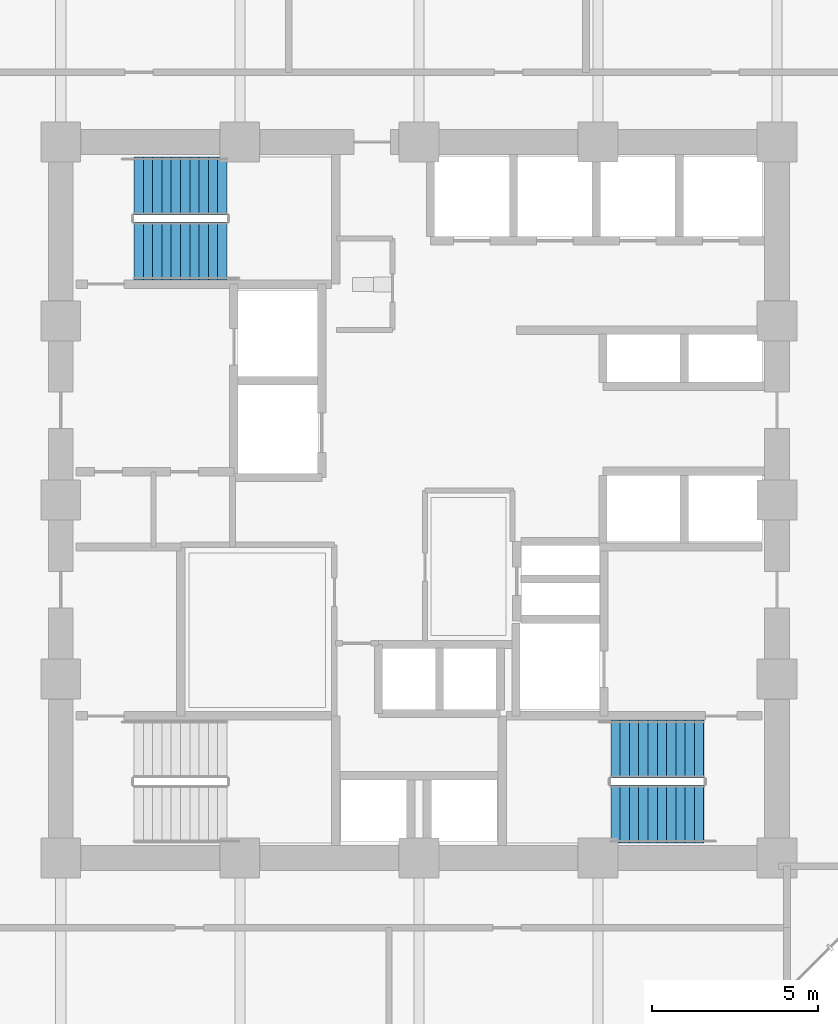
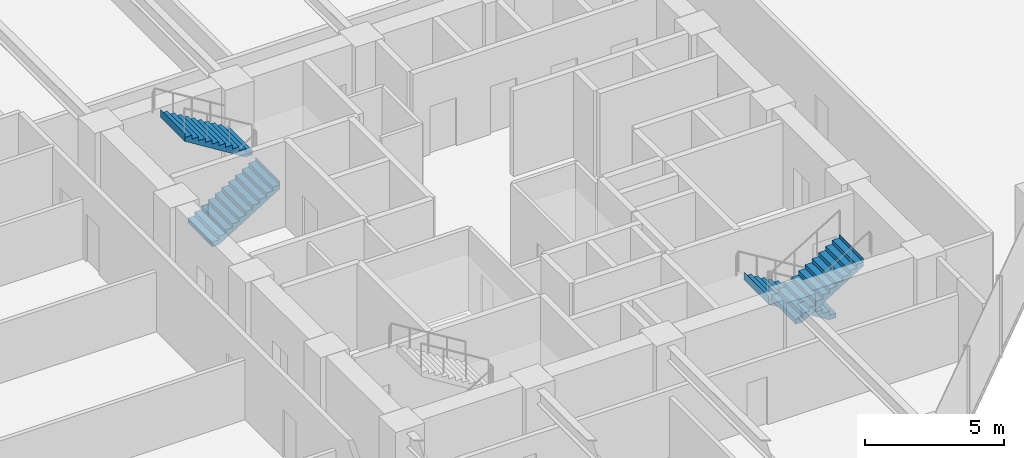
# One storey, part 23 of 27: 4 stair flights, 2 elements without a shape of their own.
"""IFC4 building model written with IfcOpenShell, lengths in metres."""

from ifc_helpers import new_model, si_unit, direction, frame, origin, place, context, subcontext, project, spatial, polyline, outline, extrude, material, type_object, element, aggregate, save


model = new_model("IFC4")

# Units and contexts
model_context = context("Model", 3, precision=1e-05, world=origin(), true_north=direction((0.0, 1.0)))
body_context = subcontext(model_context, "Body", "Model", "MODEL_VIEW")
ifc_project = project(units=[si_unit("LENGTHUNIT", "METRE"), si_unit("AREAUNIT", "SQUARE_METRE"), si_unit("VOLUMEUNIT", "CUBIC_METRE"), si_unit("PLANEANGLEUNIT", "RADIAN"), si_unit("MASSUNIT", "GRAM", prefix="KILO")], contexts=[model_context])

# Site, building, storey
site_placement = place(None, origin())
site = spatial("IfcSite", under=ifc_project, at=site_placement, CompositionType="ELEMENT")
building_placement = place(site_placement, origin())
building = spatial("IfcBuilding", under=site, at=building_placement, Name="Surkhivell Harbour Commons", CompositionType="ELEMENT")
storey_placement = place(building_placement, frame((0.0, 0.0, 56.25)))
storey = spatial("IfcBuildingStorey", under=building, at=storey_placement, Name="L14", CompositionType="ELEMENT", Elevation=56.25)

# Stair, stair flights
ifc_material = material(Name="Precast concrete C45/55", Category="concrete")
stair_type = type_object("IfcStairType", Name="STR-DL-375", PredefinedType="HALF_TURN_STAIR", material=ifc_material)
stair_1_placement = place(storey_placement, origin())
stair_1 = element("IfcStair", 1, at=stair_1_placement, inside=storey, type_object=stair_type, Name="L14 Core Exit Stair ST1", PredefinedType="HALF_TURN_STAIR")
stair_flight_type = type_object("IfcStairFlightType", Name="STF-DL-375", PredefinedType="STRAIGHT", material=ifc_material)
stair_flight_1_placement = place(storey_placement, frame((-8.590087890625, 7.514892578125, 0.0), z_axis=(0.0, 0.0, 1.0), x_axis=(1.0, 0.0, 0.0)))
stair_flight_1 = element("IfcStairFlight", 2, at=stair_flight_1_placement, type_object=stair_flight_type, Name="ST1 flight 1", NumberOfRisers=11, NumberOfTreads=10, PredefinedType="STRAIGHT", RiserHeight=0.170454545, TreadLength=0.28, context=body_context, shape_type="SweptSolid", body=[
    extrude(outline(polyline([(-0.0029296875, -0.034912109375), (-0.0029296875, 0.0), (0.0, 0.0), (0.0, 0.17041015625), (0.280029296875, 0.17041015625), (0.280029296875, 0.3408203125), (0.56005859375, 0.3408203125), (0.56005859375, 0.511474609375), (0.840087890625, 0.511474609375), (0.840087890625, 0.681884765625), (1.1201171875, 0.681884765625), (1.1201171875, 0.852294921875), (1.39990234375, 0.852294921875), (1.39990234375, 1.022705078125), (1.679931640625, 1.022705078125), (1.679931640625, 1.193115234375), (1.9599609375, 1.193115234375), (1.9599609375, 1.363525390625), (2.239990234375, 1.363525390625), (2.239990234375, 1.5341796875), (2.52001953125, 1.5341796875), (2.52001953125, 1.70458984375), (2.800048828125, 1.70458984375), (2.800048828125, 1.875), (2.802978515625, 1.875), (2.802978515625, 1.529052734375), (0.288330078125, -0.034912109375), (-0.0029296875, -0.034912109375)])), frame((0.0, 0.875, 0.0), z_axis=(0.0, -1.0, 0.0), x_axis=(1.0, 0.0, 0.0)), (0.0, 0.0, 1.0), 1.75),
])
stair_flight_2_placement = place(storey_placement, frame((-5.7900390625, 9.465087890625, 1.875), z_axis=(0.0, 0.0, 1.0), x_axis=(-1.0, 0.0, 0.0)))
stair_flight_2 = element("IfcStairFlight", 3, at=stair_flight_2_placement, type_object=stair_flight_type, Name="ST1 flight 2", NumberOfRisers=11, NumberOfTreads=10, PredefinedType="STRAIGHT", RiserHeight=0.170454545, TreadLength=0.28, context=body_context, shape_type="SweptSolid", body=[
    extrude(outline(polyline([(-0.0029296875, -0.034912109375), (-0.0029296875, 0.0), (0.0, 0.0), (0.0, 0.17041015625), (0.280029296875, 0.17041015625), (0.280029296875, 0.3408203125), (0.56005859375, 0.3408203125), (0.56005859375, 0.511474609375), (0.840087890625, 0.511474609375), (0.840087890625, 0.681884765625), (1.1201171875, 0.681884765625), (1.1201171875, 0.852294921875), (1.39990234375, 0.852294921875), (1.39990234375, 1.022705078125), (1.679931640625, 1.022705078125), (1.679931640625, 1.193115234375), (1.9599609375, 1.193115234375), (1.9599609375, 1.363525390625), (2.239990234375, 1.363525390625), (2.239990234375, 1.5341796875), (2.52001953125, 1.5341796875), (2.52001953125, 1.70458984375), (2.800048828125, 1.70458984375), (2.800048828125, 1.875), (2.802978515625, 1.875), (2.802978515625, 1.529052734375), (0.288330078125, -0.034912109375), (-0.0029296875, -0.034912109375)])), frame((0.0, 0.875, 0.0), z_axis=(0.0, -1.0, 0.0), x_axis=(1.0, 0.0, 0.0)), (0.0, 0.0, 1.0), 1.75),
])
aggregate(stair_1, [stair_flight_1, stair_flight_2])

stair_2_placement = place(storey_placement, origin())
stair_2 = element("IfcStair", 4, at=stair_2_placement, inside=storey, type_object=stair_type, Name="L14 Core Exit Stair ST2", PredefinedType="HALF_TURN_STAIR")
stair_flight_3_placement = place(storey_placement, frame((8.590087890625, -7.514892578125, 0.0), z_axis=(0.0, 0.0, 1.0), x_axis=(-1.0, 0.0, 0.0)))
stair_flight_3 = element("IfcStairFlight", 5, at=stair_flight_3_placement, type_object=stair_flight_type, Name="ST2 flight 1", NumberOfRisers=11, NumberOfTreads=10, PredefinedType="STRAIGHT", RiserHeight=0.170454545, TreadLength=0.28, context=body_context, shape_type="SweptSolid", body=[
    extrude(outline(polyline([(-0.0029296875, -0.034912109375), (-0.0029296875, 0.0), (0.0, 0.0), (0.0, 0.17041015625), (0.280029296875, 0.17041015625), (0.280029296875, 0.3408203125), (0.56005859375, 0.3408203125), (0.56005859375, 0.511474609375), (0.840087890625, 0.511474609375), (0.840087890625, 0.681884765625), (1.1201171875, 0.681884765625), (1.1201171875, 0.852294921875), (1.39990234375, 0.852294921875), (1.39990234375, 1.022705078125), (1.679931640625, 1.022705078125), (1.679931640625, 1.193115234375), (1.9599609375, 1.193115234375), (1.9599609375, 1.363525390625), (2.239990234375, 1.363525390625), (2.239990234375, 1.5341796875), (2.52001953125, 1.5341796875), (2.52001953125, 1.70458984375), (2.800048828125, 1.70458984375), (2.800048828125, 1.875), (2.802978515625, 1.875), (2.802978515625, 1.529052734375), (0.288330078125, -0.034912109375), (-0.0029296875, -0.034912109375)])), frame((0.0, 0.875, 0.0), z_axis=(0.0, -1.0, 0.0), x_axis=(1.0, 0.0, 0.0)), (0.0, 0.0, 1.0), 1.75),
])
stair_flight_4_placement = place(storey_placement, frame((5.7900390625, -9.465087890625, 1.875), z_axis=(0.0, 0.0, 1.0), x_axis=(1.0, 0.0, 0.0)))
stair_flight_4 = element("IfcStairFlight", 6, at=stair_flight_4_placement, type_object=stair_flight_type, Name="ST2 flight 2", NumberOfRisers=11, NumberOfTreads=10, PredefinedType="STRAIGHT", RiserHeight=0.170454545, TreadLength=0.28, context=body_context, shape_type="SweptSolid", body=[
    extrude(outline(polyline([(-0.0029296875, -0.034912109375), (-0.0029296875, 0.0), (0.0, 0.0), (0.0, 0.17041015625), (0.280029296875, 0.17041015625), (0.280029296875, 0.3408203125), (0.56005859375, 0.3408203125), (0.56005859375, 0.511474609375), (0.840087890625, 0.511474609375), (0.840087890625, 0.681884765625), (1.1201171875, 0.681884765625), (1.1201171875, 0.852294921875), (1.39990234375, 0.852294921875), (1.39990234375, 1.022705078125), (1.679931640625, 1.022705078125), (1.679931640625, 1.193115234375), (1.9599609375, 1.193115234375), (1.9599609375, 1.363525390625), (2.239990234375, 1.363525390625), (2.239990234375, 1.5341796875), (2.52001953125, 1.5341796875), (2.52001953125, 1.70458984375), (2.800048828125, 1.70458984375), (2.800048828125, 1.875), (2.802978515625, 1.875), (2.802978515625, 1.529052734375), (0.288330078125, -0.034912109375), (-0.0029296875, -0.034912109375)])), frame((0.0, 0.875, 0.0), z_axis=(0.0, -1.0, 0.0), x_axis=(1.0, 0.0, 0.0)), (0.0, 0.0, 1.0), 1.75),
])
aggregate(stair_2, [stair_flight_3, stair_flight_4])

save(model, "model.ifc")
